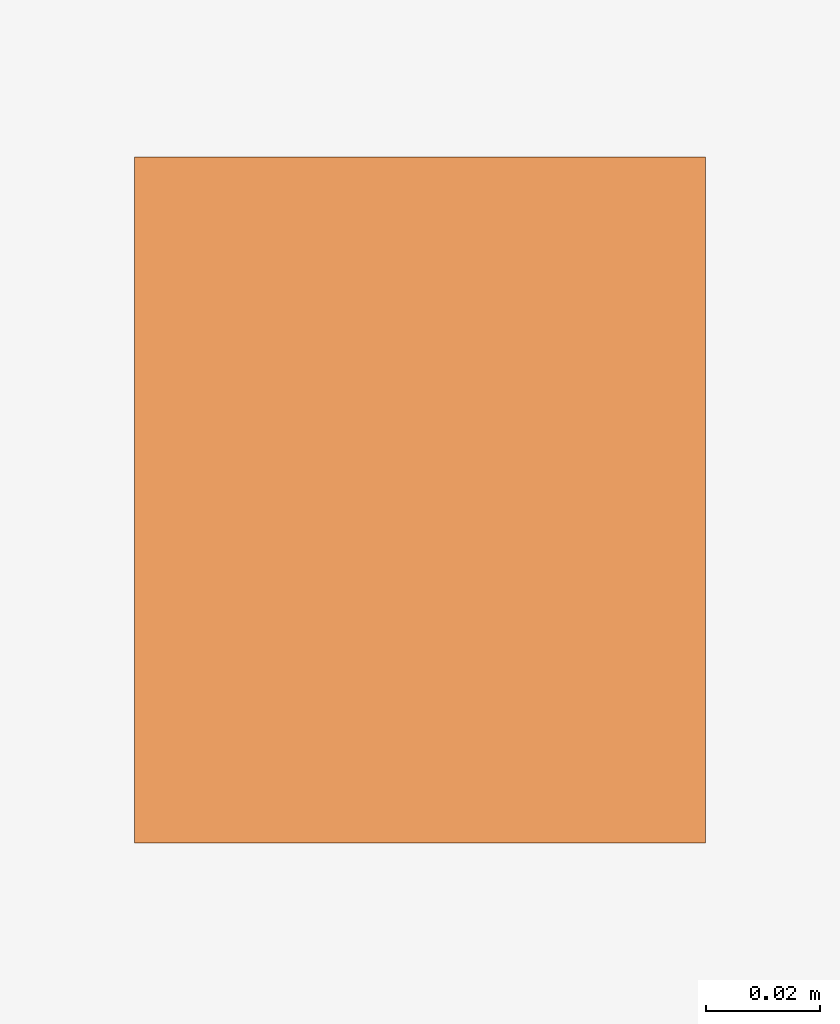
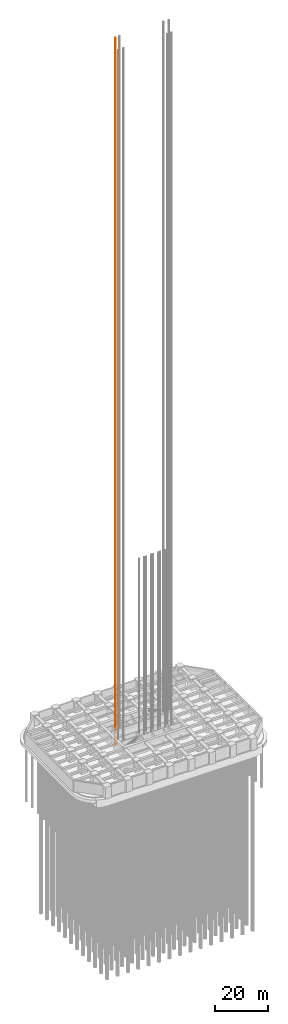
# One storey, part 11 of 24: 1 proxy.
"""IFC4 building model written with IfcOpenShell, lengths in metres."""

from ifc_helpers import new_model, si_unit, direction, frame, origin, origin_2d, place, context, subcontext, project, spatial, rectangle, extrude, element, save


model = new_model("IFC4")

# Units and contexts
model_context = context("Model", 3, precision=1e-05, world=origin(), true_north=direction((0.0, 1.0)))
body_context = subcontext(model_context, "Body", "Model", "MODEL_VIEW")
ifc_project = project(units=[si_unit("LENGTHUNIT", "METRE"), si_unit("AREAUNIT", "SQUARE_METRE"), si_unit("VOLUMEUNIT", "CUBIC_METRE"), si_unit("PLANEANGLEUNIT", "RADIAN"), si_unit("MASSUNIT", "GRAM", prefix="KILO")], contexts=[model_context])

# Site, building, storey
site_placement = place(None, origin())
site = spatial("IfcSite", under=ifc_project, at=site_placement, CompositionType="ELEMENT")
building_placement = place(site_placement, origin())
building = spatial("IfcBuilding", under=site, at=building_placement, Name="Zorevar Civic Tower", CompositionType="ELEMENT")
storey_placement = place(building_placement, frame((0.0, 0.0, -5.0)))
storey = spatial("IfcBuildingStorey", under=building, at=storey_placement, Name="B1", CompositionType="ELEMENT", Elevation=-5.0)

# Proxy
proxy_placement = place(storey_placement, frame((21.60009765625, 30.89990234375, -3.349853515625), z_axis=(0.0, 0.0, 1.0), x_axis=(1.0, 0.0, 0.0)))
element("IfcBuildingElementProxy", 1, at=proxy_placement, inside=storey, Name="Service lift SL2 guide rail 1", PredefinedType="NOTDEFINED", context=body_context, shape_type="SweptSolid", body=[
    extrude(rectangle(XDim=0.10009765625, YDim=0.1201171875, at=origin_2d()), origin(), (0.0, 0.0, 1.0), 323.64990234375),
])

save(model, "model.ifc")
